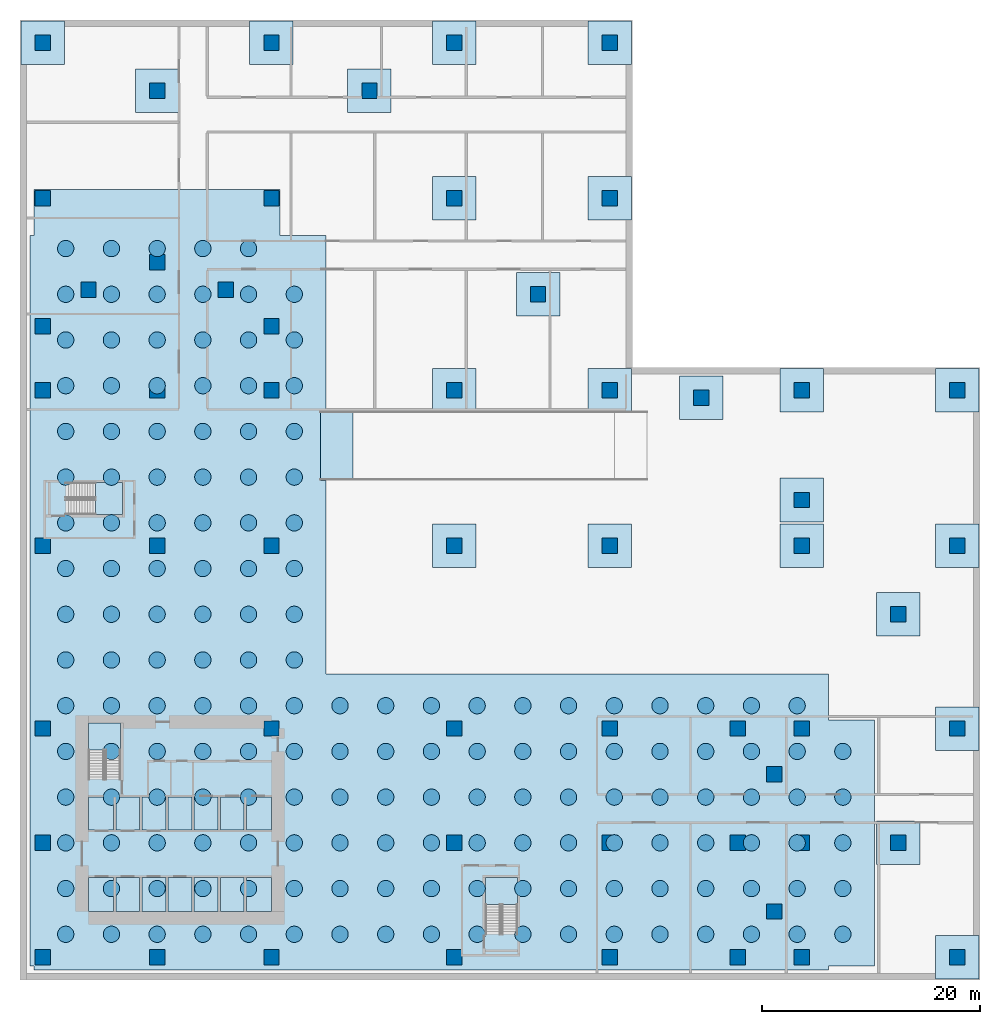
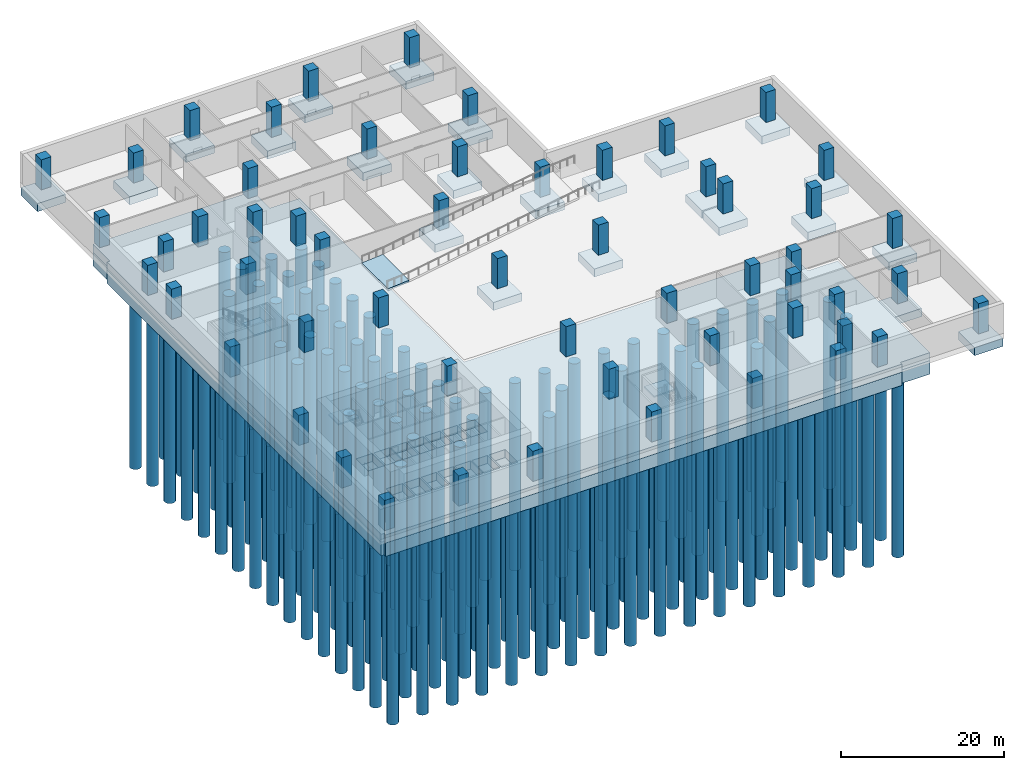
# One storey, part 1 of 13: 166 piles, 56 columns, 25 footings, 4 slabs, 3 elements without a shape of their own.
"""IFC4 building model written with IfcOpenShell, lengths in metres."""

from ifc_helpers import new_model, si_unit, direction, frame, origin, origin_with_axes, origin_2d, place, context, subcontext, project, spatial, polyline, rectangle, circle, outline, extrude, source, transform, mapped, material, layer, layer_set, material_profile, profile_set, type_object, element, aggregate, save


model = new_model("IFC4")

# Units and contexts
model_context = context("Model", 3, precision=1e-05, world=origin(), true_north=direction((0.0, 1.0)))
body_context = subcontext(model_context, "Body", "Model", "MODEL_VIEW")
ifc_project = project(units=[si_unit("LENGTHUNIT", "METRE"), si_unit("AREAUNIT", "SQUARE_METRE"), si_unit("VOLUMEUNIT", "CUBIC_METRE"), si_unit("PLANEANGLEUNIT", "RADIAN"), si_unit("MASSUNIT", "GRAM", prefix="KILO")], contexts=[model_context])

# Site, building, storey
site_placement = place(None, origin())
site = spatial("IfcSite", under=ifc_project, at=site_placement, CompositionType="ELEMENT")
building_placement = place(site_placement, origin())
building = spatial("IfcBuilding", under=site, at=building_placement, Name="Aurelian Terraces", CompositionType="ELEMENT")
storey_placement = place(building_placement, frame((0.0, 0.0, -13.5)))
storey = spatial("IfcBuildingStorey", under=building, at=storey_placement, Name="B3", CompositionType="ELEMENT", Elevation=-13.5)

# Pile
ifc_material_1 = material(Name="Concrete fc' 55 MPa", Category="concrete")
ifc_material_profile_1 = material_profile(ifc_material_1, circle(Radius=0.75, at=origin_2d()))
ifc_profile_set_1 = profile_set([ifc_material_profile_1], Name="Concrete fc' 55 MPa")
pile_type = type_object("IfcPileType", Name="CONCRETE BORED PILE 1500", PredefinedType="BORED", material=ifc_profile_set_1)
pile_placement = place(storey_placement, frame((2.1, 2.1, -3.2), z_axis=(0.0, 0.0, -1.0), x_axis=(1.0, 0.0, 0.0)))
element("IfcPile", 1, at=pile_placement, inside=storey, type_object=pile_type, Name="Bored pile 1", PredefinedType="BORED", context=body_context, shape_type="SweptSolid", body=[
    extrude(circle(Radius=0.75, at=origin_2d()), origin(), (0.0, 0.0, 1.0), 28.0),
])

# Footings
footing_type_1 = type_object("IfcFootingType", Name="PAD FOOTING 4000X4000X1200", PredefinedType="PAD_FOOTING", material=ifc_material_1)
footing_1_placement = place(storey_placement, frame((0.0, 84.0, -2.0), z_axis=(0.0, 0.0, 1.0), x_axis=(1.0, 0.0, 0.0)))
element("IfcFooting", 2, at=footing_1_placement, inside=storey, type_object=footing_type_1, Name="Pad footing 1/K", PredefinedType="PAD_FOOTING", context=body_context, shape_type="SweptSolid", body=[
    extrude(rectangle(XDim=4.0, YDim=4.0, at=origin_2d()), origin(), (0.0, 0.0, 1.0), 1.2),
])
ifc_layer_1 = layer(ifc_material_1, 2.0)
ifc_layer_set_1 = layer_set([ifc_layer_1], Name="RAFT FOUNDATION LOWER 2000")
footing_type_2 = type_object("IfcFootingType", Name="RAFT FOUNDATION LOWER 2000", PredefinedType="PAD_FOOTING", material=ifc_layer_set_1)
footing_2_placement = place(storey_placement, frame((0.0, 0.0, -3.5)))
element("IfcFooting", 3, at=footing_2_placement, inside=storey, type_object=footing_type_2, Name="Raft foundation, lower layer", PredefinedType="PAD_FOOTING", context=body_context, shape_type="SweptSolid", body=[
    extrude(outline(polyline([(-1.2, -0.8), (-1.2, 66.32), (-0.8, 66.32), (-0.8, 70.52), (21.8, 70.52), (21.8, 66.32), (26.0, 66.32), (26.0, 26.0), (72.2, 26.0), (72.2, 21.8), (76.4, 21.8), (76.4, -0.8), (72.2, -0.8), (72.2, -1.2), (-0.8, -1.2), (-0.8, -0.8), (-1.2, -0.8)])), origin(), (0.0, 0.0, 1.0), 2.0),
])
ifc_layer_2 = layer(ifc_material_1, 1.2)
ifc_layer_set_2 = layer_set([ifc_layer_2], Name="RAFT FOUNDATION UPPER 1200")
footing_type_3 = type_object("IfcFootingType", Name="RAFT FOUNDATION UPPER 1200", PredefinedType="PAD_FOOTING", material=ifc_layer_set_2)
footing_3_placement = place(storey_placement, frame((0.0, 0.0, -1.5)))
element("IfcFooting", 4, at=footing_3_placement, inside=storey, type_object=footing_type_3, Name="Raft foundation, upper layer with lift pit pockets", PredefinedType="PAD_FOOTING", context=body_context, shape_type="SweptSolid", body=[
    extrude(outline(polyline([(-1.2, 66.32), (-0.8, 66.32), (-0.8, 70.52), (21.8, 70.52), (21.8, 66.32), (26.0, 66.32), (26.0, 26.0), (72.2, 26.0), (72.2, 21.8), (76.4, 21.8), (76.4, -0.8), (72.2, -0.8), (72.2, -1.2), (-0.8, -1.2), (-0.8, -0.8), (-1.2, -0.8), (-1.2, 66.32)]), holes=[polyline([(6.5, 7.3), (4.2, 7.3), (4.2, 4.2), (6.5, 4.2), (6.5, 7.3)]), polyline([(8.9, 4.2), (8.9, 7.3), (6.7, 7.3), (6.7, 4.2), (8.9, 4.2)]), polyline([(11.3, 4.2), (11.3, 7.3), (9.1, 7.3), (9.1, 4.2), (11.3, 4.2)]), polyline([(13.7, 4.2), (13.7, 7.3), (11.5, 7.3), (11.5, 4.2), (13.7, 4.2)]), polyline([(6.5, 11.7), (6.5, 14.7), (4.2, 14.7), (4.2, 11.7), (6.5, 11.7)]), polyline([(8.9, 11.7), (8.9, 14.7), (6.7, 14.7), (6.7, 11.7), (8.9, 11.7)]), polyline([(11.3, 11.7), (11.3, 14.7), (9.1, 14.7), (9.1, 11.7), (11.3, 11.7)]), polyline([(16.1, 7.3), (13.9, 7.3), (13.9, 4.2), (16.1, 4.2), (16.1, 7.3)]), polyline([(18.5, 4.2), (18.5, 7.3), (16.3, 7.3), (16.3, 4.2), (18.5, 4.2)]), polyline([(21.0, 4.2), (21.0, 7.3), (18.7, 7.3), (18.7, 4.2), (21.0, 4.2)]), polyline([(13.7, 11.7), (13.7, 14.7), (11.5, 14.7), (11.5, 11.7), (13.7, 11.7)]), polyline([(16.1, 11.7), (16.1, 14.7), (13.9, 14.7), (13.9, 11.7), (16.1, 11.7)]), polyline([(18.5, 11.7), (18.5, 14.7), (16.3, 14.7), (16.3, 11.7), (18.5, 11.7)]), polyline([(21.0, 11.7), (21.0, 14.7), (18.7, 14.7), (18.7, 11.7), (21.0, 11.7)])]), origin(), (0.0, 0.0, 1.0), 1.2),
])

# Piles
shared_shape_1 = source(origin(), body_context, "Body", "SweptSolid", [
    extrude(circle(Radius=0.75, at=origin_2d()), origin(), (0.0, 0.0, 1.0), 28.0),
])
for number, where, z_axis, x_axis, name in (
    (5, (2.1, 6.3, -3.2), (0.0, 0.0, -1.0), (1.0, 0.0, 0.0), "Bored pile 2"),
    (6, (2.1, 10.5, -3.2), (0.0, 0.0, -1.0), (1.0, 0.0, 0.0), "Bored pile 3"),
    (7, (2.1, 14.7, -3.2), (0.0, 0.0, -1.0), (1.0, 0.0, 0.0), "Bored pile 4"),
    (8, (2.1, 18.9, -3.2), (0.0, 0.0, -1.0), (1.0, 0.0, 0.0), "Bored pile 5"),
    (9, (2.1, 23.1, -3.2), (0.0, 0.0, -1.0), (1.0, 0.0, 0.0), "Bored pile 6"),
    (10, (2.1, 27.3, -3.2), (0.0, 0.0, -1.0), (1.0, 0.0, 0.0), "Bored pile 7"),
    (11, (2.1, 31.5, -3.2), (0.0, 0.0, -1.0), (1.0, 0.0, 0.0), "Bored pile 8"),
    (12, (2.1, 35.7, -3.2), (0.0, 0.0, -1.0), (1.0, 0.0, 0.0), "Bored pile 9"),
    (13, (2.1, 39.9, -3.2), (0.0, 0.0, -1.0), (1.0, 0.0, 0.0), "Bored pile 10"),
    (14, (2.1, 44.1, -3.2), (0.0, 0.0, -1.0), (1.0, 0.0, 0.0), "Bored pile 11"),
    (15, (2.1, 48.3, -3.2), (0.0, 0.0, -1.0), (1.0, 0.0, 0.0), "Bored pile 12"),
    (16, (2.1, 52.5, -3.2), (0.0, 0.0, -1.0), (1.0, 0.0, 0.0), "Bored pile 13"),
    (17, (2.1, 56.7, -3.2), (0.0, 0.0, -1.0), (1.0, 0.0, 0.0), "Bored pile 14"),
    (18, (2.1, 60.9, -3.2), (0.0, 0.0, -1.0), (1.0, 0.0, 0.0), "Bored pile 15"),
    (19, (2.1, 65.1, -3.2), (0.0, 0.0, -1.0), (1.0, 0.0, 0.0), "Bored pile 16"),
    (20, (6.3, 2.1, -3.2), (0.0, 0.0, -1.0), (1.0, 0.0, 0.0), "Bored pile 17"),
    (21, (6.3, 6.3, -3.2), (0.0, 0.0, -1.0), (1.0, 0.0, 0.0), "Bored pile 18"),
    (22, (6.3, 10.5, -3.2), (0.0, 0.0, -1.0), (1.0, 0.0, 0.0), "Bored pile 19"),
    (23, (6.3, 14.7, -3.2), (0.0, 0.0, -1.0), (1.0, 0.0, 0.0), "Bored pile 20"),
    (24, (6.3, 18.9, -3.2), (0.0, 0.0, -1.0), (1.0, 0.0, 0.0), "Bored pile 21"),
    (25, (6.3, 23.1, -3.2), (0.0, 0.0, -1.0), (1.0, 0.0, 0.0), "Bored pile 22"),
    (26, (6.3, 27.3, -3.2), (0.0, 0.0, -1.0), (1.0, 0.0, 0.0), "Bored pile 23"),
    (27, (6.3, 31.5, -3.2), (0.0, 0.0, -1.0), (1.0, 0.0, 0.0), "Bored pile 24"),
    (28, (6.3, 35.7, -3.2), (0.0, 0.0, -1.0), (1.0, 0.0, 0.0), "Bored pile 25"),
    (29, (6.3, 39.9, -3.2), (0.0, 0.0, -1.0), (1.0, 0.0, 0.0), "Bored pile 26"),
    (30, (6.3, 44.1, -3.2), (0.0, 0.0, -1.0), (1.0, 0.0, 0.0), "Bored pile 27"),
    (31, (6.3, 48.3, -3.2), (0.0, 0.0, -1.0), (1.0, 0.0, 0.0), "Bored pile 28"),
    (32, (6.3, 52.5, -3.2), (0.0, 0.0, -1.0), (1.0, 0.0, 0.0), "Bored pile 29"),
    (33, (6.3, 56.7, -3.2), (0.0, 0.0, -1.0), (1.0, 0.0, 0.0), "Bored pile 30"),
    (34, (6.3, 60.9, -3.2), (0.0, 0.0, -1.0), (1.0, 0.0, 0.0), "Bored pile 31"),
    (35, (6.3, 65.1, -3.2), (0.0, 0.0, -1.0), (1.0, 0.0, 0.0), "Bored pile 32"),
    (36, (10.5, 2.1, -3.2), (0.0, 0.0, -1.0), (1.0, 0.0, 0.0), "Bored pile 33"),
    (37, (10.5, 6.3, -3.2), (0.0, 0.0, -1.0), (1.0, 0.0, 0.0), "Bored pile 34"),
    (38, (10.5, 10.5, -3.2), (0.0, 0.0, -1.0), (1.0, 0.0, 0.0), "Bored pile 35"),
    (39, (10.5, 14.7, -3.2), (0.0, 0.0, -1.0), (1.0, 0.0, 0.0), "Bored pile 36"),
    (40, (10.5, 18.9, -3.2), (0.0, 0.0, -1.0), (1.0, 0.0, 0.0), "Bored pile 37"),
    (41, (10.5, 23.1, -3.2), (0.0, 0.0, -1.0), (1.0, 0.0, 0.0), "Bored pile 38"),
    (42, (10.5, 27.3, -3.2), (0.0, 0.0, -1.0), (1.0, 0.0, 0.0), "Bored pile 39"),
    (43, (10.5, 31.5, -3.2), (0.0, 0.0, -1.0), (1.0, 0.0, 0.0), "Bored pile 40"),
    (44, (10.5, 35.7, -3.2), (0.0, 0.0, -1.0), (1.0, 0.0, 0.0), "Bored pile 41"),
    (45, (10.5, 39.9, -3.2), (0.0, 0.0, -1.0), (1.0, 0.0, 0.0), "Bored pile 42"),
    (46, (10.5, 44.1, -3.2), (0.0, 0.0, -1.0), (1.0, 0.0, 0.0), "Bored pile 43"),
    (47, (10.5, 48.3, -3.2), (0.0, 0.0, -1.0), (1.0, 0.0, 0.0), "Bored pile 44"),
    (48, (10.5, 52.5, -3.2), (0.0, 0.0, -1.0), (1.0, 0.0, 0.0), "Bored pile 45"),
    (49, (10.5, 56.7, -3.2), (0.0, 0.0, -1.0), (1.0, 0.0, 0.0), "Bored pile 46"),
    (50, (10.5, 60.9, -3.2), (0.0, 0.0, -1.0), (1.0, 0.0, 0.0), "Bored pile 47"),
    (51, (10.5, 65.1, -3.2), (0.0, 0.0, -1.0), (1.0, 0.0, 0.0), "Bored pile 48"),
    (52, (14.7, 2.1, -3.2), (0.0, 0.0, -1.0), (1.0, 0.0, 0.0), "Bored pile 49"),
    (53, (14.7, 6.3, -3.2), (0.0, 0.0, -1.0), (1.0, 0.0, 0.0), "Bored pile 50"),
    (54, (14.7, 10.5, -3.2), (0.0, 0.0, -1.0), (1.0, 0.0, 0.0), "Bored pile 51"),
    (55, (14.7, 14.7, -3.2), (0.0, 0.0, -1.0), (1.0, 0.0, 0.0), "Bored pile 52"),
    (56, (14.7, 18.9, -3.2), (0.0, 0.0, -1.0), (1.0, 0.0, 0.0), "Bored pile 53"),
    (57, (14.7, 23.1, -3.2), (0.0, 0.0, -1.0), (1.0, 0.0, 0.0), "Bored pile 54"),
    (58, (14.7, 27.3, -3.2), (0.0, 0.0, -1.0), (1.0, 0.0, 0.0), "Bored pile 55"),
    (59, (14.7, 31.5, -3.2), (0.0, 0.0, -1.0), (1.0, 0.0, 0.0), "Bored pile 56"),
    (60, (14.7, 35.7, -3.2), (0.0, 0.0, -1.0), (1.0, 0.0, 0.0), "Bored pile 57"),
    (61, (14.7, 39.9, -3.2), (0.0, 0.0, -1.0), (1.0, 0.0, 0.0), "Bored pile 58"),
    (62, (14.7, 44.1, -3.2), (0.0, 0.0, -1.0), (1.0, 0.0, 0.0), "Bored pile 59"),
    (63, (14.7, 48.3, -3.2), (0.0, 0.0, -1.0), (1.0, 0.0, 0.0), "Bored pile 60"),
    (64, (14.7, 52.5, -3.2), (0.0, 0.0, -1.0), (1.0, 0.0, 0.0), "Bored pile 61"),
    (65, (14.7, 56.7, -3.2), (0.0, 0.0, -1.0), (1.0, 0.0, 0.0), "Bored pile 62"),
    (66, (14.7, 60.9, -3.2), (0.0, 0.0, -1.0), (1.0, 0.0, 0.0), "Bored pile 63"),
    (67, (14.7, 65.1, -3.2), (0.0, 0.0, -1.0), (1.0, 0.0, 0.0), "Bored pile 64"),
    (68, (18.9, 2.1, -3.2), (0.0, 0.0, -1.0), (1.0, 0.0, 0.0), "Bored pile 65"),
    (69, (18.9, 6.3, -3.2), (0.0, 0.0, -1.0), (1.0, 0.0, 0.0), "Bored pile 66"),
    (70, (18.9, 10.5, -3.2), (0.0, 0.0, -1.0), (1.0, 0.0, 0.0), "Bored pile 67"),
    (71, (18.9, 14.7, -3.2), (0.0, 0.0, -1.0), (1.0, 0.0, 0.0), "Bored pile 68"),
    (72, (18.9, 18.9, -3.2), (0.0, 0.0, -1.0), (1.0, 0.0, 0.0), "Bored pile 69"),
    (73, (18.9, 23.1, -3.2), (0.0, 0.0, -1.0), (1.0, 0.0, 0.0), "Bored pile 70"),
    (74, (18.9, 27.3, -3.2), (0.0, 0.0, -1.0), (1.0, 0.0, 0.0), "Bored pile 71"),
    (75, (18.9, 31.5, -3.2), (0.0, 0.0, -1.0), (1.0, 0.0, 0.0), "Bored pile 72"),
    (76, (18.9, 35.7, -3.2), (0.0, 0.0, -1.0), (1.0, 0.0, 0.0), "Bored pile 73"),
    (77, (18.9, 39.9, -3.2), (0.0, 0.0, -1.0), (1.0, 0.0, 0.0), "Bored pile 74"),
    (78, (18.9, 44.1, -3.2), (0.0, 0.0, -1.0), (1.0, 0.0, 0.0), "Bored pile 75"),
    (79, (18.9, 48.3, -3.2), (0.0, 0.0, -1.0), (1.0, 0.0, 0.0), "Bored pile 76"),
    (80, (18.9, 52.5, -3.2), (0.0, 0.0, -1.0), (1.0, 0.0, 0.0), "Bored pile 77"),
    (81, (18.9, 56.7, -3.2), (0.0, 0.0, -1.0), (1.0, 0.0, 0.0), "Bored pile 78"),
    (82, (18.9, 60.9, -3.2), (0.0, 0.0, -1.0), (1.0, 0.0, 0.0), "Bored pile 79"),
    (83, (18.9, 65.1, -3.2), (0.0, 0.0, -1.0), (1.0, 0.0, 0.0), "Bored pile 80"),
    (84, (23.1, 2.1, -3.2), (0.0, 0.0, -1.0), (1.0, 0.0, 0.0), "Bored pile 81"),
    (85, (23.1, 6.3, -3.2), (0.0, 0.0, -1.0), (1.0, 0.0, 0.0), "Bored pile 82"),
    (86, (23.1, 10.5, -3.2), (0.0, 0.0, -1.0), (1.0, 0.0, 0.0), "Bored pile 83"),
    (87, (23.1, 14.7, -3.2), (0.0, 0.0, -1.0), (1.0, 0.0, 0.0), "Bored pile 84"),
    (88, (23.1, 18.9, -3.2), (0.0, 0.0, -1.0), (1.0, 0.0, 0.0), "Bored pile 85"),
    (89, (23.1, 23.1, -3.2), (0.0, 0.0, -1.0), (1.0, 0.0, 0.0), "Bored pile 86"),
    (90, (23.1, 27.3, -3.2), (0.0, 0.0, -1.0), (1.0, 0.0, 0.0), "Bored pile 87"),
    (91, (23.1, 31.5, -3.2), (0.0, 0.0, -1.0), (1.0, 0.0, 0.0), "Bored pile 88"),
    (92, (23.1, 35.7, -3.2), (0.0, 0.0, -1.0), (1.0, 0.0, 0.0), "Bored pile 89"),
    (93, (23.1, 39.9, -3.2), (0.0, 0.0, -1.0), (1.0, 0.0, 0.0), "Bored pile 90"),
    (94, (23.1, 44.1, -3.2), (0.0, 0.0, -1.0), (1.0, 0.0, 0.0), "Bored pile 91"),
    (95, (23.1, 48.3, -3.2), (0.0, 0.0, -1.0), (1.0, 0.0, 0.0), "Bored pile 92"),
    (96, (23.1, 52.5, -3.2), (0.0, 0.0, -1.0), (1.0, 0.0, 0.0), "Bored pile 93"),
    (97, (23.1, 56.7, -3.2), (0.0, 0.0, -1.0), (1.0, 0.0, 0.0), "Bored pile 94"),
    (98, (23.1, 60.9, -3.2), (0.0, 0.0, -1.0), (1.0, 0.0, 0.0), "Bored pile 95"),
    (99, (27.3, 2.1, -3.2), (0.0, 0.0, -1.0), (1.0, 0.0, 0.0), "Bored pile 96"),
    (100, (27.3, 6.3, -3.2), (0.0, 0.0, -1.0), (1.0, 0.0, 0.0), "Bored pile 97"),
    (101, (27.3, 10.5, -3.2), (0.0, 0.0, -1.0), (1.0, 0.0, 0.0), "Bored pile 98"),
    (102, (27.3, 14.7, -3.2), (0.0, 0.0, -1.0), (1.0, 0.0, 0.0), "Bored pile 99"),
    (103, (27.3, 18.9, -3.2), (0.0, 0.0, -1.0), (1.0, 0.0, 0.0), "Bored pile 100"),
    (104, (27.3, 23.1, -3.2), (0.0, 0.0, -1.0), (1.0, 0.0, 0.0), "Bored pile 101"),
    (105, (31.5, 2.1, -3.2), (0.0, 0.0, -1.0), (1.0, 0.0, 0.0), "Bored pile 102"),
    (106, (31.5, 6.3, -3.2), (0.0, 0.0, -1.0), (1.0, 0.0, 0.0), "Bored pile 103"),
    (107, (31.5, 10.5, -3.2), (0.0, 0.0, -1.0), (1.0, 0.0, 0.0), "Bored pile 104"),
    (108, (31.5, 14.7, -3.2), (0.0, 0.0, -1.0), (1.0, 0.0, 0.0), "Bored pile 105"),
    (109, (31.5, 18.9, -3.2), (0.0, 0.0, -1.0), (1.0, 0.0, 0.0), "Bored pile 106"),
    (110, (31.5, 23.1, -3.2), (0.0, 0.0, -1.0), (1.0, 0.0, 0.0), "Bored pile 107"),
    (111, (35.7, 2.1, -3.2), (0.0, 0.0, -1.0), (1.0, 0.0, 0.0), "Bored pile 108"),
    (112, (35.7, 6.3, -3.2), (0.0, 0.0, -1.0), (1.0, 0.0, 0.0), "Bored pile 109"),
    (113, (35.7, 10.5, -3.2), (0.0, 0.0, -1.0), (1.0, 0.0, 0.0), "Bored pile 110"),
    (114, (35.7, 14.7, -3.2), (0.0, 0.0, -1.0), (1.0, 0.0, 0.0), "Bored pile 111"),
    (115, (35.7, 18.9, -3.2), (0.0, 0.0, -1.0), (1.0, 0.0, 0.0), "Bored pile 112"),
    (116, (35.7, 23.1, -3.2), (0.0, 0.0, -1.0), (1.0, 0.0, 0.0), "Bored pile 113"),
    (117, (39.9, 2.1, -3.2), (0.0, 0.0, -1.0), (1.0, 0.0, 0.0), "Bored pile 114"),
    (118, (39.9, 6.3, -3.2), (0.0, 0.0, -1.0), (1.0, 0.0, 0.0), "Bored pile 115"),
    (119, (39.9, 10.5, -3.2), (0.0, 0.0, -1.0), (1.0, 0.0, 0.0), "Bored pile 116"),
    (120, (39.9, 14.7, -3.2), (0.0, 0.0, -1.0), (1.0, 0.0, 0.0), "Bored pile 117"),
    (121, (39.9, 18.9, -3.2), (0.0, 0.0, -1.0), (1.0, 0.0, 0.0), "Bored pile 118"),
    (122, (39.9, 23.1, -3.2), (0.0, 0.0, -1.0), (1.0, 0.0, 0.0), "Bored pile 119"),
    (123, (44.1, 2.1, -3.2), (0.0, 0.0, -1.0), (1.0, 0.0, 0.0), "Bored pile 120"),
    (124, (44.1, 6.3, -3.2), (0.0, 0.0, -1.0), (1.0, 0.0, 0.0), "Bored pile 121"),
    (125, (44.1, 10.5, -3.2), (0.0, 0.0, -1.0), (1.0, 0.0, 0.0), "Bored pile 122"),
    (126, (44.1, 14.7, -3.2), (0.0, 0.0, -1.0), (1.0, 0.0, 0.0), "Bored pile 123"),
    (127, (44.1, 18.9, -3.2), (0.0, 0.0, -1.0), (1.0, 0.0, 0.0), "Bored pile 124"),
    (128, (44.1, 23.1, -3.2), (0.0, 0.0, -1.0), (1.0, 0.0, 0.0), "Bored pile 125"),
    (129, (48.3, 2.1, -3.2), (0.0, 0.0, -1.0), (1.0, 0.0, 0.0), "Bored pile 126"),
    (130, (48.3, 6.3, -3.2), (0.0, 0.0, -1.0), (1.0, 0.0, 0.0), "Bored pile 127"),
    (131, (48.3, 10.5, -3.2), (0.0, 0.0, -1.0), (1.0, 0.0, 0.0), "Bored pile 128"),
    (132, (48.3, 14.7, -3.2), (0.0, 0.0, -1.0), (1.0, 0.0, 0.0), "Bored pile 129"),
    (133, (48.3, 18.9, -3.2), (0.0, 0.0, -1.0), (1.0, 0.0, 0.0), "Bored pile 130"),
    (134, (48.3, 23.1, -3.2), (0.0, 0.0, -1.0), (1.0, 0.0, 0.0), "Bored pile 131"),
    (135, (52.5, 2.1, -3.2), (0.0, 0.0, -1.0), (1.0, 0.0, 0.0), "Bored pile 132"),
    (136, (52.5, 6.3, -3.2), (0.0, 0.0, -1.0), (1.0, 0.0, 0.0), "Bored pile 133"),
    (137, (52.5, 10.5, -3.2), (0.0, 0.0, -1.0), (1.0, 0.0, 0.0), "Bored pile 134"),
    (138, (52.5, 14.7, -3.2), (0.0, 0.0, -1.0), (1.0, 0.0, 0.0), "Bored pile 135"),
    (139, (52.5, 18.9, -3.2), (0.0, 0.0, -1.0), (1.0, 0.0, 0.0), "Bored pile 136"),
    (140, (52.5, 23.1, -3.2), (0.0, 0.0, -1.0), (1.0, 0.0, 0.0), "Bored pile 137"),
    (141, (56.7, 2.1, -3.2), (0.0, 0.0, -1.0), (1.0, 0.0, 0.0), "Bored pile 138"),
    (142, (56.7, 6.3, -3.2), (0.0, 0.0, -1.0), (1.0, 0.0, 0.0), "Bored pile 139"),
    (143, (56.7, 10.5, -3.2), (0.0, 0.0, -1.0), (1.0, 0.0, 0.0), "Bored pile 140"),
    (144, (56.7, 14.7, -3.2), (0.0, 0.0, -1.0), (1.0, 0.0, 0.0), "Bored pile 141"),
    (145, (56.7, 18.9, -3.2), (0.0, 0.0, -1.0), (1.0, 0.0, 0.0), "Bored pile 142"),
    (146, (56.7, 23.1, -3.2), (0.0, 0.0, -1.0), (1.0, 0.0, 0.0), "Bored pile 143"),
    (147, (60.9, 2.1, -3.2), (0.0, 0.0, -1.0), (1.0, 0.0, 0.0), "Bored pile 144"),
    (148, (60.9, 6.3, -3.2), (0.0, 0.0, -1.0), (1.0, 0.0, 0.0), "Bored pile 145"),
    (149, (60.9, 10.5, -3.2), (0.0, 0.0, -1.0), (1.0, 0.0, 0.0), "Bored pile 146"),
    (150, (60.9, 14.7, -3.2), (0.0, 0.0, -1.0), (1.0, 0.0, 0.0), "Bored pile 147"),
    (151, (60.9, 18.9, -3.2), (0.0, 0.0, -1.0), (1.0, 0.0, 0.0), "Bored pile 148"),
    (152, (60.9, 23.1, -3.2), (0.0, 0.0, -1.0), (1.0, 0.0, 0.0), "Bored pile 149"),
    (153, (65.1, 2.1, -3.2), (0.0, 0.0, -1.0), (1.0, 0.0, 0.0), "Bored pile 150"),
    (154, (65.1, 6.3, -3.2), (0.0, 0.0, -1.0), (1.0, 0.0, 0.0), "Bored pile 151"),
    (155, (65.1, 10.5, -3.2), (0.0, 0.0, -1.0), (1.0, 0.0, 0.0), "Bored pile 152"),
    (156, (65.1, 14.7, -3.2), (0.0, 0.0, -1.0), (1.0, 0.0, 0.0), "Bored pile 153"),
    (157, (65.1, 18.9, -3.2), (0.0, 0.0, -1.0), (1.0, 0.0, 0.0), "Bored pile 154"),
    (158, (65.1, 23.1, -3.2), (0.0, 0.0, -1.0), (1.0, 0.0, 0.0), "Bored pile 155"),
    (159, (69.3, 2.1, -3.2), (0.0, 0.0, -1.0), (1.0, 0.0, 0.0), "Bored pile 156"),
    (160, (69.3, 6.3, -3.2), (0.0, 0.0, -1.0), (1.0, 0.0, 0.0), "Bored pile 157"),
    (161, (69.3, 10.5, -3.2), (0.0, 0.0, -1.0), (1.0, 0.0, 0.0), "Bored pile 158"),
    (162, (69.3, 14.7, -3.2), (0.0, 0.0, -1.0), (1.0, 0.0, 0.0), "Bored pile 159"),
    (163, (69.3, 18.9, -3.2), (0.0, 0.0, -1.0), (1.0, 0.0, 0.0), "Bored pile 160"),
    (164, (69.3, 23.1, -3.2), (0.0, 0.0, -1.0), (1.0, 0.0, 0.0), "Bored pile 161"),
    (165, (73.5, 2.1, -3.2), (0.0, 0.0, -1.0), (1.0, 0.0, 0.0), "Bored pile 162"),
    (166, (73.5, 6.3, -3.2), (0.0, 0.0, -1.0), (1.0, 0.0, 0.0), "Bored pile 163"),
    (167, (73.5, 10.5, -3.2), (0.0, 0.0, -1.0), (1.0, 0.0, 0.0), "Bored pile 164"),
    (168, (73.5, 14.7, -3.2), (0.0, 0.0, -1.0), (1.0, 0.0, 0.0), "Bored pile 165"),
    (169, (73.5, 18.9, -3.2), (0.0, 0.0, -1.0), (1.0, 0.0, 0.0), "Bored pile 166"),
):
    element("IfcPile", number, at=place(storey_placement, frame(where, z_axis=z_axis, x_axis=x_axis)), inside=storey, type_object=pile_type, Name=name, PredefinedType="BORED", context=body_context, shape_type="MappedRepresentation", body=[
        mapped(shared_shape_1, transform((0.0, 0.0, 0.0), scale=1.0)),
    ])

# Footings
shared_shape_2 = source(origin(), body_context, "Body", "SweptSolid", [
    extrude(rectangle(XDim=4.0, YDim=4.0, at=origin_2d()), origin(), (0.0, 0.0, 1.0), 1.2),
])
for number, where, z_axis, x_axis, name in (
    (170, (10.5, 79.6, -2.0), (0.0, 0.0, 1.0), (1.0, 0.0, 0.0), "Pad footing 10.50/79.60"),
    (171, (21.0, 84.0, -2.0), (0.0, 0.0, 1.0), (1.0, 0.0, 0.0), "Pad footing 3/K"),
    (172, (30.0, 79.6, -2.0), (0.0, 0.0, 1.0), (1.0, 0.0, 0.0), "Pad footing 30.00/79.60"),
    (173, (37.8, 37.8, -2.0), (0.0, 0.0, 1.0), (1.0, 0.0, 0.0), "Pad footing 5/E"),
    (174, (37.8, 52.08, -2.0), (0.0, 0.0, 1.0), (1.0, 0.0, 0.0), "Pad footing 5/G"),
    (175, (37.8, 69.72, -2.0), (0.0, 0.0, 1.0), (1.0, 0.0, 0.0), "Pad footing 5/J"),
    (176, (37.8, 84.0, -2.0), (0.0, 0.0, 1.0), (1.0, 0.0, 0.0), "Pad footing 5/K"),
    (177, (45.5, 60.9, -2.0), (0.0, 0.0, 1.0), (1.0, 0.0, 0.0), "Pad footing 45.50/60.90"),
    (178, (52.08, 37.8, -2.0), (0.0, 0.0, 1.0), (1.0, 0.0, 0.0), "Pad footing 7/E"),
    (179, (52.08, 52.08, -2.0), (0.0, 0.0, 1.0), (1.0, 0.0, 0.0), "Pad footing 7/G"),
    (180, (52.08, 69.72, -2.0), (0.0, 0.0, 1.0), (1.0, 0.0, 0.0), "Pad footing 7/J"),
    (181, (52.08, 84.0, -2.0), (0.0, 0.0, 1.0), (1.0, 0.0, 0.0), "Pad footing 7/K"),
    (182, (60.5, 51.4, -2.0), (0.0, 0.0, 1.0), (1.0, 0.0, 0.0), "Pad footing 60.50/51.40"),
    (183, (69.72, 37.8, -2.0), (0.0, 0.0, 1.0), (1.0, 0.0, 0.0), "Pad footing 10/E"),
    (184, (69.72, 42.0, -2.0), (0.0, 0.0, 1.0), (1.0, 0.0, 0.0), "Pad footing 69.72/42.00"),
    (185, (69.72, 52.08, -2.0), (0.0, 0.0, 1.0), (1.0, 0.0, 0.0), "Pad footing 10/G"),
    (186, (78.6, 10.5, -2.0), (0.0, 0.0, 1.0), (1.0, 0.0, 0.0), "Pad footing 78.60/10.50"),
    (187, (78.6, 31.5, -2.0), (0.0, 0.0, 1.0), (1.0, 0.0, 0.0), "Pad footing 78.60/31.50"),
    (188, (84.0, 0.0, -2.0), (0.0, 0.0, 1.0), (1.0, 0.0, 0.0), "Pad footing 11/A"),
    (189, (84.0, 21.0, -2.0), (0.0, 0.0, 1.0), (1.0, 0.0, 0.0), "Pad footing 11/C"),
    (190, (84.0, 37.8, -2.0), (0.0, 0.0, 1.0), (1.0, 0.0, 0.0), "Pad footing 11/E"),
    (191, (84.0, 52.08, -2.0), (0.0, 0.0, 1.0), (1.0, 0.0, 0.0), "Pad footing 11/G"),
):
    element("IfcFooting", number, at=place(storey_placement, frame(where, z_axis=z_axis, x_axis=x_axis)), inside=storey, type_object=footing_type_1, Name=name, PredefinedType="PAD_FOOTING", context=body_context, shape_type="MappedRepresentation", body=[
        mapped(shared_shape_2, transform((0.0, 0.0, 0.0), scale=1.0)),
    ])

# Columns
ifc_material_2 = material(Name="Concrete fc' 83 MPa", Category="concrete")
ifc_material_profile_2 = material_profile(ifc_material_2, rectangle(XDim=1.4, YDim=1.4, at=origin_2d()))
ifc_profile_set_2 = profile_set([ifc_material_profile_2], Name="Concrete fc' 83 MPa")
column_type = type_object("IfcColumnType", Name="RC COLUMN 1400X1400 FC83", PredefinedType="COLUMN", material=ifc_profile_set_2)
column_placement = place(storey_placement, origin_with_axes())
element("IfcColumn", 192, at=column_placement, inside=storey, type_object=column_type, Name="Column 1/A B3", PredefinedType="COLUMN", context=body_context, shape_type="SweptSolid", body=[
    extrude(rectangle(XDim=1.4, YDim=1.4, at=origin_2d()), origin(), (0.0, 0.0, 1.0), 4.5),
])
shared_shape_3 = source(origin(), body_context, "Body", "SweptSolid", [
    extrude(rectangle(XDim=1.4, YDim=1.4, at=origin_2d()), origin(), (0.0, 0.0, 1.0), 4.5),
])
for number, where, z_axis, x_axis, name in (
    (193, (0.0, 10.5, 0.0), (0.0, 0.0, 1.0), (1.0, 0.0, 0.0), "Column 1/B B3"),
    (194, (0.0, 21.0, 0.0), (0.0, 0.0, 1.0), (1.0, 0.0, 0.0), "Column 1/C B3"),
    (195, (0.0, 37.8, 0.0), (0.0, 0.0, 1.0), (1.0, 0.0, 0.0), "Column 1/E B3"),
    (196, (0.0, 52.08, 0.0), (0.0, 0.0, 1.0), (1.0, 0.0, 0.0), "Column 1/G B3"),
    (197, (0.0, 57.96, 0.0), (0.0, 0.0, 1.0), (1.0, 0.0, 0.0), "Column 1/H B3"),
    (198, (0.0, 69.72, 0.0), (0.0, 0.0, 1.0), (1.0, 0.0, 0.0), "Column 1/J B3"),
    (199, (0.0, 84.0, 0.0), (0.0, 0.0, 1.0), (1.0, 0.0, 0.0), "Column 1/K B3"),
    (200, (4.2, 61.32, 0.0), (0.0, 0.0, 1.0), (1.0, 0.0, 0.0), "Column 4.20/61.32 B3"),
    (201, (10.5, 0.0, 0.0), (0.0, 0.0, 1.0), (1.0, 0.0, 0.0), "Column 2/A B3"),
    (202, (10.5, 37.8, 0.0), (0.0, 0.0, 1.0), (1.0, 0.0, 0.0), "Column 2/E B3"),
    (203, (10.5, 52.08, 0.0), (0.0, 0.0, 1.0), (1.0, 0.0, 0.0), "Column 2/G B3"),
    (204, (10.5, 63.84, 0.0), (0.0, 0.0, 1.0), (1.0, 0.0, 0.0), "Column 2/I B3"),
    (205, (10.5, 79.6, 0.0), (0.0, 0.0, 1.0), (1.0, 0.0, 0.0), "Column 10.50/79.60 B3"),
    (206, (16.8, 61.32, 0.0), (0.0, 0.0, 1.0), (1.0, 0.0, 0.0), "Column 16.80/61.32 B3"),
    (207, (21.0, 0.0, 0.0), (0.0, 0.0, 1.0), (1.0, 0.0, 0.0), "Column 3/A B3"),
    (208, (21.0, 21.0, 0.0), (0.0, 0.0, 1.0), (1.0, 0.0, 0.0), "Column 3/C B3"),
    (209, (21.0, 37.8, 0.0), (0.0, 0.0, 1.0), (1.0, 0.0, 0.0), "Column 3/E B3"),
    (210, (21.0, 52.08, 0.0), (0.0, 0.0, 1.0), (1.0, 0.0, 0.0), "Column 3/G B3"),
    (211, (21.0, 57.96, 0.0), (0.0, 0.0, 1.0), (1.0, 0.0, 0.0), "Column 3/H B3"),
    (212, (21.0, 69.72, 0.0), (0.0, 0.0, 1.0), (1.0, 0.0, 0.0), "Column 3/J B3"),
    (213, (21.0, 84.0, 0.0), (0.0, 0.0, 1.0), (1.0, 0.0, 0.0), "Column 3/K B3"),
    (214, (30.0, 79.6, 0.0), (0.0, 0.0, 1.0), (1.0, 0.0, 0.0), "Column 30.00/79.60 B3"),
    (215, (37.8, 0.0, 0.0), (0.0, 0.0, 1.0), (1.0, 0.0, 0.0), "Column 5/A B3"),
    (216, (37.8, 10.5, 0.0), (0.0, 0.0, 1.0), (1.0, 0.0, 0.0), "Column 5/B B3"),
    (217, (37.8, 21.0, 0.0), (0.0, 0.0, 1.0), (1.0, 0.0, 0.0), "Column 5/C B3"),
    (218, (37.8, 37.8, 0.0), (0.0, 0.0, 1.0), (1.0, 0.0, 0.0), "Column 5/E B3"),
    (219, (37.8, 52.08, 0.0), (0.0, 0.0, 1.0), (1.0, 0.0, 0.0), "Column 5/G B3"),
    (220, (37.8, 69.72, 0.0), (0.0, 0.0, 1.0), (1.0, 0.0, 0.0), "Column 5/J B3"),
    (221, (37.8, 84.0, 0.0), (0.0, 0.0, 1.0), (1.0, 0.0, 0.0), "Column 5/K B3"),
    (222, (45.5, 60.9, 0.0), (0.0, 0.0, 1.0), (1.0, 0.0, 0.0), "Column 45.50/60.90 B3"),
    (223, (52.08, 0.0, 0.0), (0.0, 0.0, 1.0), (1.0, 0.0, 0.0), "Column 7/A B3"),
    (224, (52.08, 10.5, 0.0), (0.0, 0.0, 1.0), (1.0, 0.0, 0.0), "Column 7/B B3"),
    (225, (52.08, 21.0, 0.0), (0.0, 0.0, 1.0), (1.0, 0.0, 0.0), "Column 7/C B3"),
    (226, (52.08, 37.8, 0.0), (0.0, 0.0, 1.0), (1.0, 0.0, 0.0), "Column 7/E B3"),
    (227, (52.08, 52.08, 0.0), (0.0, 0.0, 1.0), (1.0, 0.0, 0.0), "Column 7/G B3"),
    (228, (52.08, 69.72, 0.0), (0.0, 0.0, 1.0), (1.0, 0.0, 0.0), "Column 7/J B3"),
    (229, (52.08, 84.0, 0.0), (0.0, 0.0, 1.0), (1.0, 0.0, 0.0), "Column 7/K B3"),
    (230, (60.5, 51.4, 0.0), (0.0, 0.0, 1.0), (1.0, 0.0, 0.0), "Column 60.50/51.40 B3"),
    (231, (63.84, 0.0, 0.0), (0.0, 0.0, 1.0), (1.0, 0.0, 0.0), "Column 9/A B3"),
    (232, (63.84, 10.5, 0.0), (0.0, 0.0, 1.0), (1.0, 0.0, 0.0), "Column 9/B B3"),
    (233, (63.84, 21.0, 0.0), (0.0, 0.0, 1.0), (1.0, 0.0, 0.0), "Column 9/C B3"),
    (234, (67.2, 4.2, 0.0), (0.0, 0.0, 1.0), (1.0, 0.0, 0.0), "Column 67.20/4.20 B3"),
    (235, (67.2, 16.8, 0.0), (0.0, 0.0, 1.0), (1.0, 0.0, 0.0), "Column 67.20/16.80 B3"),
    (236, (69.72, 0.0, 0.0), (0.0, 0.0, 1.0), (1.0, 0.0, 0.0), "Column 10/A B3"),
    (237, (69.72, 10.5, 0.0), (0.0, 0.0, 1.0), (1.0, 0.0, 0.0), "Column 10/B B3"),
    (238, (69.72, 21.0, 0.0), (0.0, 0.0, 1.0), (1.0, 0.0, 0.0), "Column 10/C B3"),
    (239, (69.72, 37.8, 0.0), (0.0, 0.0, 1.0), (1.0, 0.0, 0.0), "Column 10/E B3"),
    (240, (69.72, 42.0, 0.0), (0.0, 0.0, 1.0), (1.0, 0.0, 0.0), "Column 69.72/42.00 B3"),
    (241, (69.72, 52.08, 0.0), (0.0, 0.0, 1.0), (1.0, 0.0, 0.0), "Column 10/G B3"),
    (242, (78.6, 10.5, 0.0), (0.0, 0.0, 1.0), (1.0, 0.0, 0.0), "Column 78.60/10.50 B3"),
    (243, (78.6, 31.5, 0.0), (0.0, 0.0, 1.0), (1.0, 0.0, 0.0), "Column 78.60/31.50 B3"),
    (244, (84.0, 0.0, 0.0), (0.0, 0.0, 1.0), (1.0, 0.0, 0.0), "Column 11/A B3"),
    (245, (84.0, 21.0, 0.0), (0.0, 0.0, 1.0), (1.0, 0.0, 0.0), "Column 11/C B3"),
    (246, (84.0, 37.8, 0.0), (0.0, 0.0, 1.0), (1.0, 0.0, 0.0), "Column 11/E B3"),
    (247, (84.0, 52.08, 0.0), (0.0, 0.0, 1.0), (1.0, 0.0, 0.0), "Column 11/G B3"),
):
    element("IfcColumn", number, at=place(storey_placement, frame(where, z_axis=z_axis, x_axis=x_axis)), inside=storey, type_object=column_type, Name=name, PredefinedType="COLUMN", context=body_context, shape_type="MappedRepresentation", body=[
        mapped(shared_shape_3, transform((0.0, 0.0, 0.0), scale=1.0)),
    ])

# Slab
ifc_material_3 = material(Name="Concrete fc' 40 MPa", Category="concrete")
ifc_layer_3 = layer(ifc_material_3, 0.3)
ifc_layer_set_3 = layer_set([ifc_layer_3], Name="CAR PARK RAMP SLAB 300 FC40")
slab_type_1 = type_object("IfcSlabType", Name="CAR PARK RAMP SLAB 300 FC40", PredefinedType="FLOOR", material=ifc_layer_set_3)
slab_1_placement = place(storey_placement, frame((25.5, 43.8, 0.0), z_axis=(0.0, 0.0, 1.0), x_axis=(1.0, 0.0, 0.0)))
element("IfcSlab", 248, at=slab_1_placement, inside=storey, type_object=slab_type_1, Name="Car park ramp R3 slab piece 1", PredefinedType="FLOOR", context=body_context, shape_type="SweptSolid", body=[
    extrude(outline(polyline([(0.0, 0.0), (3.0, 0.25), (3.0, -0.05), (0.0, -0.3), (0.0, 0.0)])), frame((0.0, 6.4, 0.0), z_axis=(0.0, -1.0, 0.0), x_axis=(1.0, 0.0, 0.0)), (0.0, 0.0, 1.0), 6.4),
])

# Stair, slab
stair_type = type_object("IfcStairType", Name="Stair 1400", PredefinedType="HALF_TURN_STAIR", material=ifc_material_3)
stair_1_placement = place(storey_placement, origin())
stair_1 = element("IfcStair", 249, at=stair_1_placement, inside=storey, type_object=stair_type, Name="B3 S1", PredefinedType="HALF_TURN_STAIR")
ifc_layer_4 = layer(ifc_material_3, 0.2)
ifc_layer_set_4 = layer_set([ifc_layer_4], Name="Stair landing 200")
slab_type_2 = type_object("IfcSlabType", Name="Stair landing 200", PredefinedType="LANDING", material=ifc_layer_set_4)
slab_2_placement = place(storey_placement, frame((0.0, 0.0, 2.05)))
slab_2 = element("IfcSlab", 250, at=slab_2_placement, type_object=slab_type_2, Name="S1 landing 1", PredefinedType="LANDING", context=body_context, shape_type="SweptSolid", body=[
    extrude(outline(polyline([(7.15, 19.05), (7.15, 21.5), (4.2, 21.5), (4.2, 19.05), (7.15, 19.05)])), origin(), (0.0, 0.0, 1.0), 0.2),
])
aggregate(stair_1, [slab_2])

stair_2_placement = place(storey_placement, origin())
stair_2 = element("IfcStair", 251, at=stair_2_placement, inside=storey, type_object=stair_type, Name="B3 S2", PredefinedType="HALF_TURN_STAIR")
slab_3_placement = place(storey_placement, frame((0.0, 0.0, 2.05)))
slab_3 = element("IfcSlab", 252, at=slab_3_placement, type_object=slab_type_2, Name="S2 landing 1", PredefinedType="LANDING", context=body_context, shape_type="SweptSolid", body=[
    extrude(outline(polyline([(43.6, 4.85), (43.6, 7.3), (40.65, 7.3), (40.65, 4.85), (43.6, 4.85)])), origin(), (0.0, 0.0, 1.0), 0.2),
])
aggregate(stair_2, [slab_3])

stair_3_placement = place(storey_placement, origin())
stair_3 = element("IfcStair", 253, at=stair_3_placement, inside=storey, type_object=stair_type, Name="B3 S3", PredefinedType="HALF_TURN_STAIR")
slab_4_placement = place(storey_placement, frame((0.0, 0.0, 2.05)))
slab_4 = element("IfcSlab", 254, at=slab_4_placement, type_object=slab_type_2, Name="S3 landing 1", PredefinedType="LANDING", context=body_context, shape_type="SweptSolid", body=[
    extrude(outline(polyline([(4.85, 40.65), (7.3, 40.65), (7.3, 43.6), (4.85, 43.6), (4.85, 40.65)])), origin(), (0.0, 0.0, 1.0), 0.2),
])
aggregate(stair_3, [slab_4])

save(model, "model.ifc")
